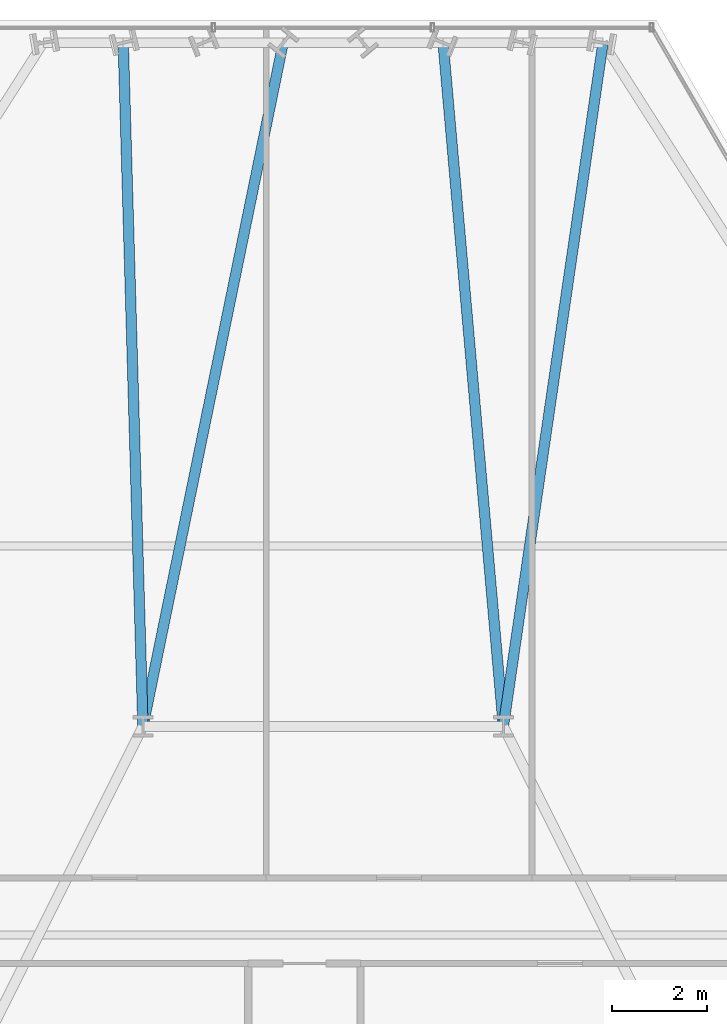
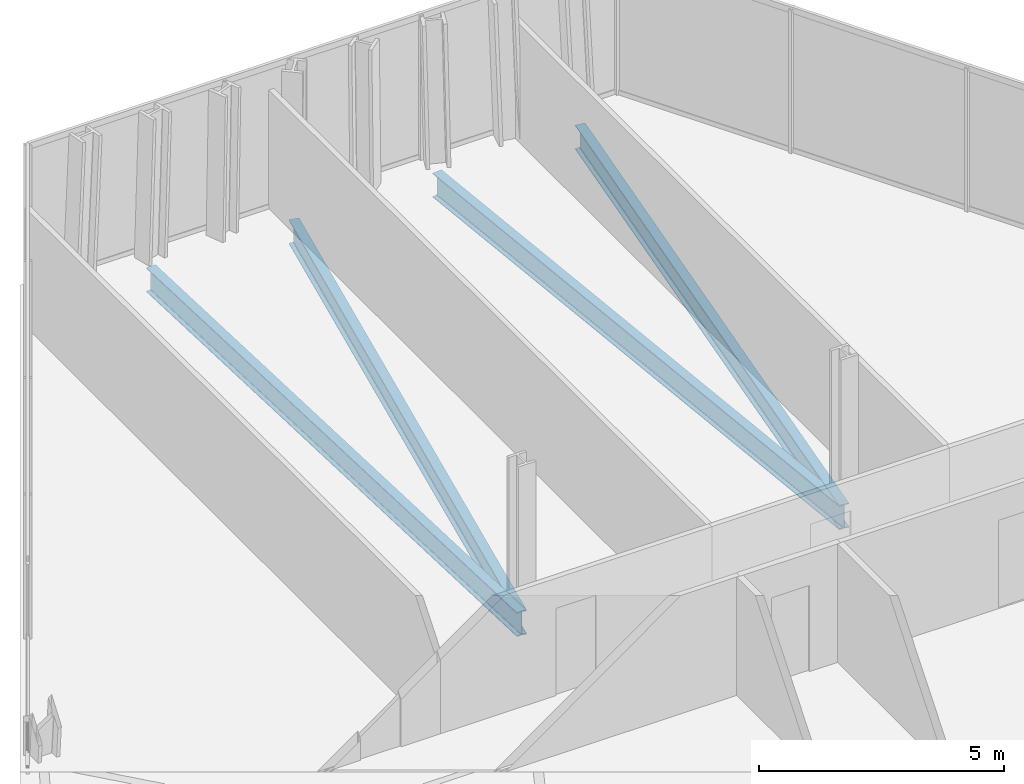
# One storey, part 23 of 32: 4 beams.
"""IFC4 building model written with IfcOpenShell, lengths in metres."""

from ifc_helpers import new_model, si_unit, direction, frame, origin, origin_2d, place, context, subcontext, project, spatial, i_section, extrude, material, material_profile, profile_set, type_object, element, save


model = new_model("IFC4")

# Units and contexts
model_context = context("Model", 3, precision=1e-05, world=origin(), true_north=direction((0.0, 1.0)))
body_context = subcontext(model_context, "Body", "Model", "MODEL_VIEW")
ifc_project = project(units=[si_unit("LENGTHUNIT", "METRE"), si_unit("AREAUNIT", "SQUARE_METRE"), si_unit("VOLUMEUNIT", "CUBIC_METRE"), si_unit("PLANEANGLEUNIT", "RADIAN"), si_unit("MASSUNIT", "GRAM", prefix="KILO")], contexts=[model_context])

# Site, building, storey
site_placement = place(None, origin())
site = spatial("IfcSite", under=ifc_project, at=site_placement, CompositionType="ELEMENT")
building_placement = place(site_placement, origin())
building = spatial("IfcBuilding", under=site, at=building_placement, Name="Ndaravel Arena Tower", CompositionType="ELEMENT")
storey_placement = place(building_placement, frame((0.0, 0.0, 96.800048828125)))
storey = spatial("IfcBuildingStorey", under=building, at=storey_placement, Name="L22", CompositionType="ELEMENT", Elevation=96.800048828125)

# Beams
ifc_material = material(Name="Steel S355", Category="steel")
ifc_material_profile = material_profile(ifc_material, i_section(OverallWidth=0.219970703125, OverallDepth=0.60009765625, WebThickness=0.011962890625, FlangeThickness=0.01904296875, FilletRadius=0.02392578125, at=origin_2d()), Name="IPE 600")
ifc_profile_set = profile_set([ifc_material_profile], Name="Steel S355")
beam_type = type_object("IfcBeamType", Name="BM-GIRD-IPE600", PredefinedType="BEAM", material=ifc_profile_set)
beam_1_placement = place(storey_placement, frame((47.90087890625, 45.614013671875, -0.52001953125), z_axis=(-0.144224834802, -0.98954494442, 0.0), x_axis=(0.98954494442, -0.144224834802, 0.0)))
element("IfcBeam", 1, at=beam_1_placement, inside=storey, type_object=beam_type, Name="L22 Radial Floor Girder FG-11", PredefinedType="BEAM", context=body_context, shape_type="SweptSolid", body=[
    extrude(i_section(OverallWidth=0.219970703125, OverallDepth=0.60009765625, WebThickness=0.011962890625, FlangeThickness=0.01904296875, FilletRadius=0.02392578125, at=origin_2d()), origin(), (0.0, 0.0, 1.0), 14.56640625),
])
beam_2_placement = place(storey_placement, frame((44.529052734375, 45.614013671875, -0.52001953125), z_axis=(0.087836690864, -0.996134888325, 0.0), x_axis=(0.996134888325, 0.087836690864, 0.0)))
element("IfcBeam", 2, at=beam_2_placement, inside=storey, type_object=beam_type, Name="L22 Radial Floor Girder FG-13", PredefinedType="BEAM", context=body_context, shape_type="SweptSolid", body=[
    extrude(i_section(OverallWidth=0.219970703125, OverallDepth=0.60009765625, WebThickness=0.011962890625, FlangeThickness=0.01904296875, FilletRadius=0.02392578125, at=origin_2d()), origin(), (0.0, 0.0, 1.0), 14.469970703125),
])
beam_3_placement = place(storey_placement, frame((41.156982421875, 45.614013671875, -0.52001953125), z_axis=(-0.200963740177, -0.979598680651, 0.0), x_axis=(0.979598680651, -0.200963740177, 0.0)))
element("IfcBeam", 3, at=beam_3_placement, inside=storey, type_object=beam_type, Name="L22 Radial Floor Girder FG-15", PredefinedType="BEAM", context=body_context, shape_type="SweptSolid", body=[
    extrude(i_section(OverallWidth=0.219970703125, OverallDepth=0.60009765625, WebThickness=0.011962890625, FlangeThickness=0.01904296875, FilletRadius=0.02392578125, at=origin_2d()), origin(), (0.0, 0.0, 1.0), 14.71435546875),
])
beam_4_placement = place(storey_placement, frame((37.78515625, 45.614013671875, -0.52001953125), z_axis=(0.028765192199, -0.999586196242, 0.0), x_axis=(0.999586196242, 0.028765192199, 0.0)))
element("IfcBeam", 4, at=beam_4_placement, inside=storey, type_object=beam_type, Name="L22 Radial Floor Girder FG-17", PredefinedType="BEAM", context=body_context, shape_type="SweptSolid", body=[
    extrude(i_section(OverallWidth=0.219970703125, OverallDepth=0.60009765625, WebThickness=0.011962890625, FlangeThickness=0.01904296875, FilletRadius=0.02392578125, at=origin_2d()), origin(), (0.0, 0.0, 1.0), 14.419921875),
])

save(model, "model.ifc")
